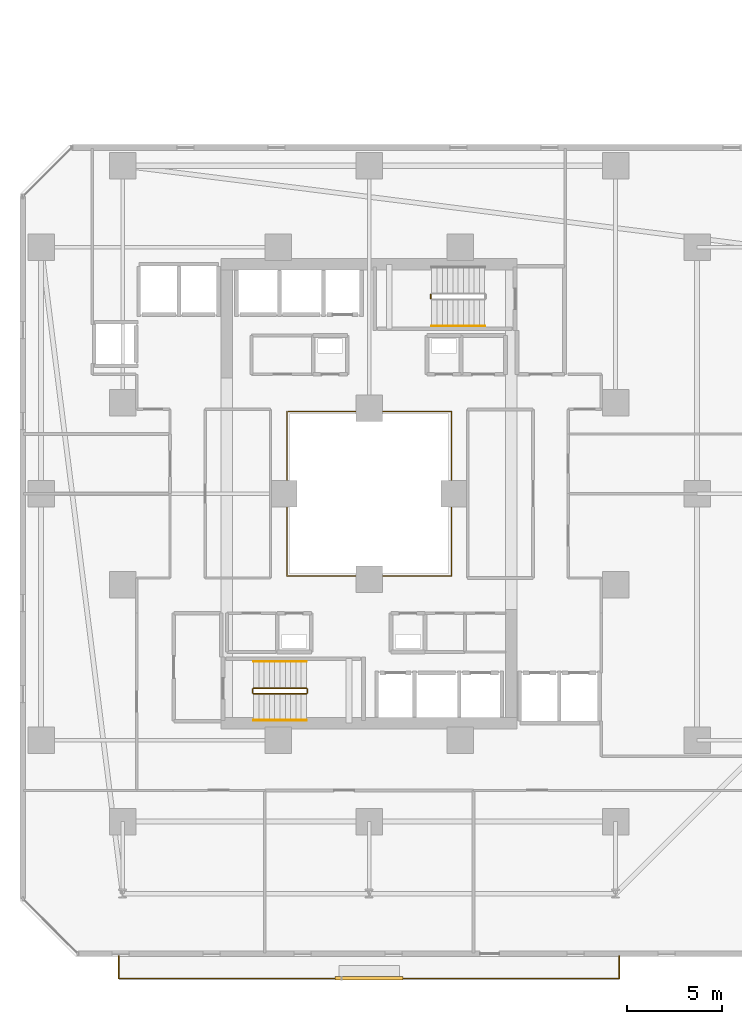
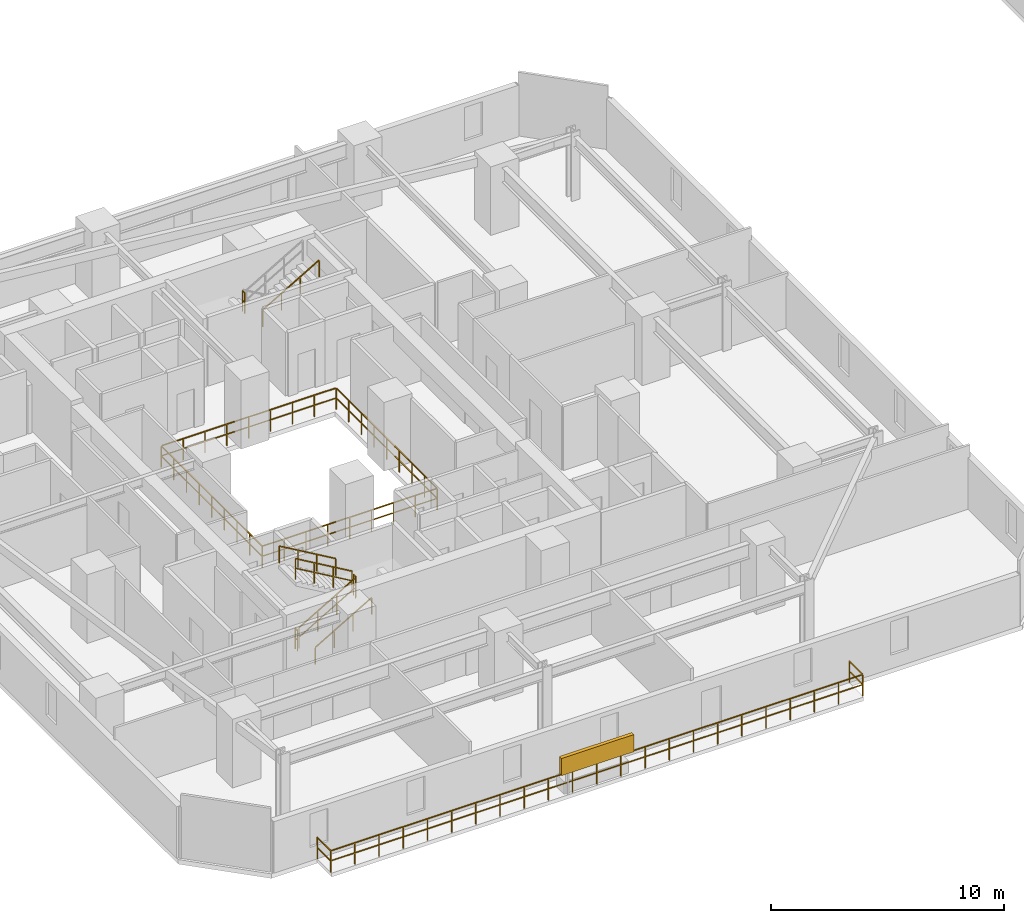
# One storey, part 32 of 35: 10 railings, 1 shading device.
"""IFC4 building model written with IfcOpenShell, lengths in metres."""

from ifc_helpers import new_model, si_unit, direction, frame, origin, origin_2d, place, context, subcontext, project, spatial, rectangle, extrude, material, type_object, element, save


model = new_model("IFC4")

# Units and contexts
model_context = context("Model", 3, precision=1e-05, world=origin(), true_north=direction((0.0, 1.0)))
body_context = subcontext(model_context, "Body", "Model", "MODEL_VIEW")
ifc_project = project(units=[si_unit("LENGTHUNIT", "METRE"), si_unit("AREAUNIT", "SQUARE_METRE"), si_unit("VOLUMEUNIT", "CUBIC_METRE"), si_unit("PLANEANGLEUNIT", "RADIAN"), si_unit("MASSUNIT", "GRAM", prefix="KILO")], contexts=[model_context])

# Site, building, storey
site_placement = place(None, origin())
site = spatial("IfcSite", under=ifc_project, at=site_placement, CompositionType="ELEMENT")
building_placement = place(site_placement, origin())
building = spatial("IfcBuilding", under=site, at=building_placement, Name="Thornwick Lancets Civic Towers", CompositionType="ELEMENT")
storey_placement = place(building_placement, frame((0.0, 0.0, 64.5)))
storey = spatial("IfcBuildingStorey", under=building, at=storey_placement, Name="L16", CompositionType="ELEMENT", Elevation=64.5)

# Railings
ifc_material_1 = material(Name="Laminated glass and bronze steel S355", Category="steel")
railing_type_1 = type_object("IfcRailingType", Name="RAIL_ATRIUM_GUARD", PredefinedType="BALUSTRADE", material=ifc_material_1)
railing_1_placement = place(storey_placement, frame((21.159912109375, 22.659912109375, 0.0)))
element("IfcRailing", 1, at=railing_1_placement, inside=storey, type_object=railing_type_1, Name="L16 Tower A Central Atrium Guard Balustrade", PredefinedType="BALUSTRADE", context=body_context, shape_type="SweptSolid", body=[
    extrude(rectangle(XDim=0.048095703125, YDim=0.048095703125, at=origin_2d()), frame((0.0, 0.0, 1.1259765625), z_axis=(1.0, 0.0, 0.0), x_axis=(0.0, 1.0, 0.0)), (0.0, 0.0, 1.0), 8.64892578125),
    extrude(rectangle(XDim=0.0419921875, YDim=0.0419921875, at=origin_2d()), frame((0.03759765625, 0.0, 0.597900390625), z_axis=(1.0, 0.0, 0.0), x_axis=(0.0, 1.0, 0.0)), (0.0, 0.0, 1.0), 1.010009765625),
    extrude(rectangle(XDim=0.0419921875, YDim=0.0419921875, at=origin_2d()), frame((1.12255859375, 0.0, 0.597900390625), z_axis=(1.0, 0.0, 0.0), x_axis=(0.0, 1.0, 0.0)), (0.0, 0.0, 1.0), 1.010009765625),
    extrude(rectangle(XDim=0.0419921875, YDim=0.0419921875, at=origin_2d()), frame((2.20751953125, 0.0, 0.597900390625), z_axis=(1.0, 0.0, 0.0), x_axis=(0.0, 1.0, 0.0)), (0.0, 0.0, 1.0), 1.010009765625),
    extrude(rectangle(XDim=0.0419921875, YDim=0.0419921875, at=origin_2d()), frame((3.29248046875, 0.0, 0.597900390625), z_axis=(1.0, 0.0, 0.0), x_axis=(0.0, 1.0, 0.0)), (0.0, 0.0, 1.0), 1.010009765625),
    extrude(rectangle(XDim=0.0419921875, YDim=0.0419921875, at=origin_2d()), frame((4.377685546875, 0.0, 0.597900390625), z_axis=(1.0, 0.0, 0.0), x_axis=(0.0, 1.0, 0.0)), (0.0, 0.0, 1.0), 1.010009765625),
    extrude(rectangle(XDim=0.0419921875, YDim=0.0419921875, at=origin_2d()), frame((5.462646484375, 0.0, 0.597900390625), z_axis=(1.0, 0.0, 0.0), x_axis=(0.0, 1.0, 0.0)), (0.0, 0.0, 1.0), 1.010009765625),
    extrude(rectangle(XDim=0.0419921875, YDim=0.0419921875, at=origin_2d()), frame((6.547607421875, 0.0, 0.597900390625), z_axis=(1.0, 0.0, 0.0), x_axis=(0.0, 1.0, 0.0)), (0.0, 0.0, 1.0), 1.010009765625),
    extrude(rectangle(XDim=0.0419921875, YDim=0.0419921875, at=origin_2d()), frame((7.632568359375, 0.0, 0.597900390625), z_axis=(1.0, 0.0, 0.0), x_axis=(0.0, 1.0, 0.0)), (0.0, 0.0, 1.0), 1.010009765625),
    extrude(rectangle(XDim=0.048095703125, YDim=0.048095703125, at=origin_2d()), frame((8.68017578125, 0.03125, 1.1259765625), z_axis=(0.0, 1.0, 0.0), x_axis=(-1.0, 0.0, 0.0)), (0.0, 0.0, 1.0), 8.61767578125),
    extrude(rectangle(XDim=0.0419921875, YDim=0.0419921875, at=origin_2d()), frame((8.68017578125, 0.03759765625, 0.597900390625), z_axis=(0.0, 1.0, 0.0), x_axis=(-1.0, 0.0, 0.0)), (0.0, 0.0, 1.0), 1.010009765625),
    extrude(rectangle(XDim=0.0419921875, YDim=0.0419921875, at=origin_2d()), frame((8.68017578125, 1.12255859375, 0.597900390625), z_axis=(0.0, 1.0, 0.0), x_axis=(-1.0, 0.0, 0.0)), (0.0, 0.0, 1.0), 1.010009765625),
    extrude(rectangle(XDim=0.0419921875, YDim=0.0419921875, at=origin_2d()), frame((8.68017578125, 2.20751953125, 0.597900390625), z_axis=(0.0, 1.0, 0.0), x_axis=(-1.0, 0.0, 0.0)), (0.0, 0.0, 1.0), 1.010009765625),
    extrude(rectangle(XDim=0.0419921875, YDim=0.0419921875, at=origin_2d()), frame((8.68017578125, 3.29248046875, 0.597900390625), z_axis=(0.0, 1.0, 0.0), x_axis=(-1.0, 0.0, 0.0)), (0.0, 0.0, 1.0), 1.010009765625),
    extrude(rectangle(XDim=0.0419921875, YDim=0.0419921875, at=origin_2d()), frame((8.68017578125, 4.377685546875, 0.597900390625), z_axis=(0.0, 1.0, 0.0), x_axis=(-1.0, 0.0, 0.0)), (0.0, 0.0, 1.0), 1.010009765625),
    extrude(rectangle(XDim=0.0419921875, YDim=0.0419921875, at=origin_2d()), frame((8.68017578125, 5.462646484375, 0.597900390625), z_axis=(0.0, 1.0, 0.0), x_axis=(-1.0, 0.0, 0.0)), (0.0, 0.0, 1.0), 1.010009765625),
    extrude(rectangle(XDim=0.0419921875, YDim=0.0419921875, at=origin_2d()), frame((8.68017578125, 6.547607421875, 0.597900390625), z_axis=(0.0, 1.0, 0.0), x_axis=(-1.0, 0.0, 0.0)), (0.0, 0.0, 1.0), 1.010009765625),
    extrude(rectangle(XDim=0.0419921875, YDim=0.0419921875, at=origin_2d()), frame((8.68017578125, 7.632568359375, 0.597900390625), z_axis=(0.0, 1.0, 0.0), x_axis=(-1.0, 0.0, 0.0)), (0.0, 0.0, 1.0), 1.010009765625),
    extrude(rectangle(XDim=0.048095703125, YDim=0.048095703125, at=origin_2d()), frame((8.64892578125, 8.68017578125, 1.1259765625), z_axis=(-1.0, 0.0, 0.0), x_axis=(0.0, -1.0, 0.0)), (0.0, 0.0, 1.0), 8.61767578125),
    extrude(rectangle(XDim=0.0419921875, YDim=0.0419921875, at=origin_2d()), frame((8.642578125, 8.68017578125, 0.597900390625), z_axis=(-1.0, 0.0, 0.0), x_axis=(0.0, -1.0, 0.0)), (0.0, 0.0, 1.0), 1.010009765625),
    extrude(rectangle(XDim=0.0419921875, YDim=0.0419921875, at=origin_2d()), frame((7.5576171875, 8.68017578125, 0.597900390625), z_axis=(-1.0, 0.0, 0.0), x_axis=(0.0, -1.0, 0.0)), (0.0, 0.0, 1.0), 1.010009765625),
    extrude(rectangle(XDim=0.0419921875, YDim=0.0419921875, at=origin_2d()), frame((6.47265625, 8.68017578125, 0.597900390625), z_axis=(-1.0, 0.0, 0.0), x_axis=(0.0, -1.0, 0.0)), (0.0, 0.0, 1.0), 1.010009765625),
    extrude(rectangle(XDim=0.0419921875, YDim=0.0419921875, at=origin_2d()), frame((5.3876953125, 8.68017578125, 0.597900390625), z_axis=(-1.0, 0.0, 0.0), x_axis=(0.0, -1.0, 0.0)), (0.0, 0.0, 1.0), 1.010009765625),
    extrude(rectangle(XDim=0.0419921875, YDim=0.0419921875, at=origin_2d()), frame((4.302490234375, 8.68017578125, 0.597900390625), z_axis=(-1.0, 0.0, 0.0), x_axis=(0.0, -1.0, 0.0)), (0.0, 0.0, 1.0), 1.010009765625),
    extrude(rectangle(XDim=0.0419921875, YDim=0.0419921875, at=origin_2d()), frame((3.217529296875, 8.68017578125, 0.597900390625), z_axis=(-1.0, 0.0, 0.0), x_axis=(0.0, -1.0, 0.0)), (0.0, 0.0, 1.0), 1.010009765625),
    extrude(rectangle(XDim=0.0419921875, YDim=0.0419921875, at=origin_2d()), frame((2.132568359375, 8.68017578125, 0.597900390625), z_axis=(-1.0, 0.0, 0.0), x_axis=(0.0, -1.0, 0.0)), (0.0, 0.0, 1.0), 1.010009765625),
    extrude(rectangle(XDim=0.0419921875, YDim=0.0419921875, at=origin_2d()), frame((1.047607421875, 8.68017578125, 0.597900390625), z_axis=(-1.0, 0.0, 0.0), x_axis=(0.0, -1.0, 0.0)), (0.0, 0.0, 1.0), 1.010009765625),
    extrude(rectangle(XDim=0.048095703125, YDim=0.048095703125, at=origin_2d()), frame((0.0, 8.64892578125, 1.1259765625), z_axis=(0.0, -1.0, 0.0), x_axis=(1.0, 0.0, 0.0)), (0.0, 0.0, 1.0), 8.64892578125),
    extrude(rectangle(XDim=0.0419921875, YDim=0.0419921875, at=origin_2d()), frame((0.0, 8.642578125, 0.597900390625), z_axis=(0.0, -1.0, 0.0), x_axis=(1.0, 0.0, 0.0)), (0.0, 0.0, 1.0), 1.010009765625),
    extrude(rectangle(XDim=0.0419921875, YDim=0.0419921875, at=origin_2d()), frame((0.0, 7.5576171875, 0.597900390625), z_axis=(0.0, -1.0, 0.0), x_axis=(1.0, 0.0, 0.0)), (0.0, 0.0, 1.0), 1.010009765625),
    extrude(rectangle(XDim=0.0419921875, YDim=0.0419921875, at=origin_2d()), frame((0.0, 6.47265625, 0.597900390625), z_axis=(0.0, -1.0, 0.0), x_axis=(1.0, 0.0, 0.0)), (0.0, 0.0, 1.0), 1.010009765625),
    extrude(rectangle(XDim=0.0419921875, YDim=0.0419921875, at=origin_2d()), frame((0.0, 5.3876953125, 0.597900390625), z_axis=(0.0, -1.0, 0.0), x_axis=(1.0, 0.0, 0.0)), (0.0, 0.0, 1.0), 1.010009765625),
    extrude(rectangle(XDim=0.0419921875, YDim=0.0419921875, at=origin_2d()), frame((0.0, 4.302490234375, 0.597900390625), z_axis=(0.0, -1.0, 0.0), x_axis=(1.0, 0.0, 0.0)), (0.0, 0.0, 1.0), 1.010009765625),
    extrude(rectangle(XDim=0.0419921875, YDim=0.0419921875, at=origin_2d()), frame((0.0, 3.217529296875, 0.597900390625), z_axis=(0.0, -1.0, 0.0), x_axis=(1.0, 0.0, 0.0)), (0.0, 0.0, 1.0), 1.010009765625),
    extrude(rectangle(XDim=0.0419921875, YDim=0.0419921875, at=origin_2d()), frame((0.0, 2.132568359375, 0.597900390625), z_axis=(0.0, -1.0, 0.0), x_axis=(1.0, 0.0, 0.0)), (0.0, 0.0, 1.0), 1.010009765625),
    extrude(rectangle(XDim=0.0419921875, YDim=0.0419921875, at=origin_2d()), frame((0.0, 1.047607421875, 0.597900390625), z_axis=(0.0, -1.0, 0.0), x_axis=(1.0, 0.0, 0.0)), (0.0, 0.0, 1.0), 1.010009765625),
    extrude(rectangle(XDim=0.0419921875, YDim=0.0419921875, at=origin_2d()), origin(), (0.0, 0.0, 1.0), 1.095703125),
    extrude(rectangle(XDim=0.0419921875, YDim=0.0419921875, at=origin_2d()), frame((1.0849609375, 0.0, 0.0)), (0.0, 0.0, 1.0), 1.095703125),
    extrude(rectangle(XDim=0.0419921875, YDim=0.0419921875, at=origin_2d()), frame((2.169921875, 0.0, 0.0)), (0.0, 0.0, 1.0), 1.095703125),
    extrude(rectangle(XDim=0.0419921875, YDim=0.0419921875, at=origin_2d()), frame((3.255126953125, 0.0, 0.0)), (0.0, 0.0, 1.0), 1.095703125),
    extrude(rectangle(XDim=0.0419921875, YDim=0.0419921875, at=origin_2d()), frame((4.340087890625, 0.0, 0.0)), (0.0, 0.0, 1.0), 1.095703125),
    extrude(rectangle(XDim=0.0419921875, YDim=0.0419921875, at=origin_2d()), frame((5.425048828125, 0.0, 0.0)), (0.0, 0.0, 1.0), 1.095703125),
    extrude(rectangle(XDim=0.0419921875, YDim=0.0419921875, at=origin_2d()), frame((6.51025390625, 0.0, 0.0)), (0.0, 0.0, 1.0), 1.095703125),
    extrude(rectangle(XDim=0.0419921875, YDim=0.0419921875, at=origin_2d()), frame((7.59521484375, 0.0, 0.0)), (0.0, 0.0, 1.0), 1.095703125),
    extrude(rectangle(XDim=0.0419921875, YDim=0.0419921875, at=origin_2d()), frame((8.68017578125, 0.0, 0.0)), (0.0, 0.0, 1.0), 1.095703125),
    extrude(rectangle(XDim=0.0419921875, YDim=0.0419921875, at=origin_2d()), frame((8.68017578125, 1.0849609375, 0.0)), (0.0, 0.0, 1.0), 1.095703125),
    extrude(rectangle(XDim=0.0419921875, YDim=0.0419921875, at=origin_2d()), frame((8.68017578125, 2.169921875, 0.0)), (0.0, 0.0, 1.0), 1.095703125),
    extrude(rectangle(XDim=0.0419921875, YDim=0.0419921875, at=origin_2d()), frame((8.68017578125, 3.255126953125, 0.0)), (0.0, 0.0, 1.0), 1.095703125),
    extrude(rectangle(XDim=0.0419921875, YDim=0.0419921875, at=origin_2d()), frame((8.68017578125, 4.340087890625, 0.0)), (0.0, 0.0, 1.0), 1.095703125),
    extrude(rectangle(XDim=0.0419921875, YDim=0.0419921875, at=origin_2d()), frame((8.68017578125, 5.425048828125, 0.0)), (0.0, 0.0, 1.0), 1.095703125),
    extrude(rectangle(XDim=0.0419921875, YDim=0.0419921875, at=origin_2d()), frame((8.68017578125, 6.51025390625, 0.0)), (0.0, 0.0, 1.0), 1.095703125),
    extrude(rectangle(XDim=0.0419921875, YDim=0.0419921875, at=origin_2d()), frame((8.68017578125, 7.59521484375, 0.0)), (0.0, 0.0, 1.0), 1.095703125),
    extrude(rectangle(XDim=0.0419921875, YDim=0.0419921875, at=origin_2d()), frame((8.68017578125, 8.68017578125, 0.0)), (0.0, 0.0, 1.0), 1.095703125),
    extrude(rectangle(XDim=0.0419921875, YDim=0.0419921875, at=origin_2d()), frame((7.59521484375, 8.68017578125, 0.0)), (0.0, 0.0, 1.0), 1.095703125),
    extrude(rectangle(XDim=0.0419921875, YDim=0.0419921875, at=origin_2d()), frame((6.51025390625, 8.68017578125, 0.0)), (0.0, 0.0, 1.0), 1.095703125),
    extrude(rectangle(XDim=0.0419921875, YDim=0.0419921875, at=origin_2d()), frame((5.425048828125, 8.68017578125, 0.0)), (0.0, 0.0, 1.0), 1.095703125),
    extrude(rectangle(XDim=0.0419921875, YDim=0.0419921875, at=origin_2d()), frame((4.340087890625, 8.68017578125, 0.0)), (0.0, 0.0, 1.0), 1.095703125),
    extrude(rectangle(XDim=0.0419921875, YDim=0.0419921875, at=origin_2d()), frame((3.255126953125, 8.68017578125, 0.0)), (0.0, 0.0, 1.0), 1.095703125),
    extrude(rectangle(XDim=0.0419921875, YDim=0.0419921875, at=origin_2d()), frame((2.169921875, 8.68017578125, 0.0)), (0.0, 0.0, 1.0), 1.095703125),
    extrude(rectangle(XDim=0.0419921875, YDim=0.0419921875, at=origin_2d()), frame((1.0849609375, 8.68017578125, 0.0)), (0.0, 0.0, 1.0), 1.095703125),
    extrude(rectangle(XDim=0.0419921875, YDim=0.0419921875, at=origin_2d()), frame((0.0, 8.68017578125, 0.0)), (0.0, 0.0, 1.0), 1.095703125),
    extrude(rectangle(XDim=0.0419921875, YDim=0.0419921875, at=origin_2d()), frame((0.0, 7.59521484375, 0.0)), (0.0, 0.0, 1.0), 1.095703125),
    extrude(rectangle(XDim=0.0419921875, YDim=0.0419921875, at=origin_2d()), frame((0.0, 6.51025390625, 0.0)), (0.0, 0.0, 1.0), 1.095703125),
    extrude(rectangle(XDim=0.0419921875, YDim=0.0419921875, at=origin_2d()), frame((0.0, 5.425048828125, 0.0)), (0.0, 0.0, 1.0), 1.095703125),
    extrude(rectangle(XDim=0.0419921875, YDim=0.0419921875, at=origin_2d()), frame((0.0, 4.340087890625, 0.0)), (0.0, 0.0, 1.0), 1.095703125),
    extrude(rectangle(XDim=0.0419921875, YDim=0.0419921875, at=origin_2d()), frame((0.0, 3.255126953125, 0.0)), (0.0, 0.0, 1.0), 1.095703125),
    extrude(rectangle(XDim=0.0419921875, YDim=0.0419921875, at=origin_2d()), frame((0.0, 2.169921875, 0.0)), (0.0, 0.0, 1.0), 1.095703125),
    extrude(rectangle(XDim=0.0419921875, YDim=0.0419921875, at=origin_2d()), frame((0.0, 1.0849609375, 0.0)), (0.0, 0.0, 1.0), 1.095703125),
])
ifc_material_2 = material(Name="Brushed stainless steel S355", Category="steel")
railing_type_2 = type_object("IfcRailingType", Name="RAIL_HANDRAIL", PredefinedType="HANDRAIL", material=ifc_material_2)
railing_2_placement = place(storey_placement, frame((19.39990234375, 15.050048828125, 0.16357421875)))
element("IfcRailing", 2, at=railing_2_placement, inside=storey, type_object=railing_type_2, Name="L16 ST-A1 stair handrail 1", PredefinedType="HANDRAIL", context=body_context, shape_type="SweptSolid", body=[
    extrude(rectangle(XDim=0.048095703125, YDim=0.048095703125, at=origin_2d()), frame((0.0, 0.0, 0.8857421875), z_axis=(0.863360870873, 0.0, 0.504586966384), x_axis=(0.0, 1.0, 0.0)), (0.0, 0.0, 1.0), 3.2431640625),
    extrude(rectangle(XDim=0.0419921875, YDim=0.0419921875, at=origin_2d()), origin(), (0.0, 0.0, 1.0), 0.855712890625),
    extrude(rectangle(XDim=0.0419921875, YDim=0.0419921875, at=origin_2d()), frame((0.933349609375, 0.0, 0.54541015625)), (0.0, 0.0, 1.0), 0.855712890625),
    extrude(rectangle(XDim=0.0419921875, YDim=0.0419921875, at=origin_2d()), frame((1.86669921875, 0.0, 1.091064453125)), (0.0, 0.0, 1.0), 0.855712890625),
    extrude(rectangle(XDim=0.0419921875, YDim=0.0419921875, at=origin_2d()), frame((2.800048828125, 0.0, 1.636474609375)), (0.0, 0.0, 1.0), 0.855712890625),
])
railing_3_placement = place(storey_placement, frame((22.199951171875, 18.14990234375, 1.963623046875)))
element("IfcRailing", 3, at=railing_3_placement, inside=storey, type_object=railing_type_2, Name="L16 ST-A1 stair handrail 2", PredefinedType="HANDRAIL", context=body_context, shape_type="SweptSolid", body=[
    extrude(rectangle(XDim=0.048095703125, YDim=0.048095703125, at=origin_2d()), frame((0.0, 0.0, 0.8857421875), z_axis=(-0.863360870873, 0.0, 0.504586966384), x_axis=(0.0, -1.0, 0.0)), (0.0, 0.0, 1.0), 3.2431640625),
    extrude(rectangle(XDim=0.0419921875, YDim=0.0419921875, at=origin_2d()), origin(), (0.0, 0.0, 1.0), 0.855712890625),
    extrude(rectangle(XDim=0.0419921875, YDim=0.0419921875, at=origin_2d()), frame((-0.933349609375, 0.0, 0.54541015625)), (0.0, 0.0, 1.0), 0.855712890625),
    extrude(rectangle(XDim=0.0419921875, YDim=0.0419921875, at=origin_2d()), frame((-1.86669921875, 0.0, 1.091064453125)), (0.0, 0.0, 1.0), 0.855712890625),
    extrude(rectangle(XDim=0.0419921875, YDim=0.0419921875, at=origin_2d()), frame((-2.800048828125, 0.0, 1.636474609375)), (0.0, 0.0, 1.0), 0.855712890625),
])
railing_4_placement = place(storey_placement, frame((28.800048828125, 35.85009765625, 1.963623046875)))
element("IfcRailing", 4, at=railing_4_placement, inside=storey, type_object=railing_type_2, Name="L16 ST-A2 stair handrail 2", PredefinedType="HANDRAIL", context=body_context, shape_type="SweptSolid", body=[
    extrude(rectangle(XDim=0.048095703125, YDim=0.048095703125, at=origin_2d()), frame((0.0, 0.0, 0.8857421875), z_axis=(0.863360870873, 0.0, 0.504586966384), x_axis=(0.0, 1.0, 0.0)), (0.0, 0.0, 1.0), 3.2431640625),
    extrude(rectangle(XDim=0.0419921875, YDim=0.0419921875, at=origin_2d()), origin(), (0.0, 0.0, 1.0), 0.855712890625),
    extrude(rectangle(XDim=0.0419921875, YDim=0.0419921875, at=origin_2d()), frame((0.933349609375, 0.0, 0.54541015625)), (0.0, 0.0, 1.0), 0.855712890625),
    extrude(rectangle(XDim=0.0419921875, YDim=0.0419921875, at=origin_2d()), frame((1.86669921875, 0.0, 1.091064453125)), (0.0, 0.0, 1.0), 0.855712890625),
    extrude(rectangle(XDim=0.0419921875, YDim=0.0419921875, at=origin_2d()), frame((2.800048828125, 0.0, 1.636474609375)), (0.0, 0.0, 1.0), 0.855712890625),
])
ifc_material_3 = material(Name="Steel S355JR", Category="steel")
railing_type_3 = type_object("IfcRailingType", Name="RAIL_STAIR_GUARD", PredefinedType="GUARDRAIL", material=ifc_material_3)
railing_5_placement = place(storey_placement, frame((19.39990234375, 16.449951171875, 0.16357421875)))
element("IfcRailing", 5, at=railing_5_placement, inside=storey, type_object=railing_type_3, Name="L16 ST-A1 stair guard 1", PredefinedType="GUARDRAIL", context=body_context, shape_type="SweptSolid", body=[
    extrude(rectangle(XDim=0.048095703125, YDim=0.048095703125, at=origin_2d()), frame((0.0, 0.0, 1.076171875), z_axis=(0.863360870873, 0.0, 0.504586966384), x_axis=(0.0, 1.0, 0.0)), (0.0, 0.0, 1.0), 3.2431640625),
    extrude(rectangle(XDim=0.0419921875, YDim=0.0419921875, at=origin_2d()), frame((0.032470703125, 0.0, 0.591064453125), z_axis=(0.863360870873, 0.0, 0.504586966384), x_axis=(0.0, 1.0, 0.0)), (0.0, 0.0, 1.0), 1.006103515625),
    extrude(rectangle(XDim=0.0419921875, YDim=0.0419921875, at=origin_2d()), frame((0.9658203125, 0.0, 1.136474609375), z_axis=(0.863360870873, 0.0, 0.504586966384), x_axis=(0.0, 1.0, 0.0)), (0.0, 0.0, 1.0), 1.006103515625),
    extrude(rectangle(XDim=0.0419921875, YDim=0.0419921875, at=origin_2d()), frame((1.899169921875, 0.0, 1.681884765625), z_axis=(0.863360870873, 0.0, 0.504586966384), x_axis=(0.0, 1.0, 0.0)), (0.0, 0.0, 1.0), 1.006103515625),
    extrude(rectangle(XDim=0.0419921875, YDim=0.0419921875, at=origin_2d()), origin(), (0.0, 0.0, 1.0), 1.0458984375),
    extrude(rectangle(XDim=0.0419921875, YDim=0.0419921875, at=origin_2d()), frame((0.933349609375, 0.0, 0.54541015625)), (0.0, 0.0, 1.0), 1.0458984375),
    extrude(rectangle(XDim=0.0419921875, YDim=0.0419921875, at=origin_2d()), frame((1.86669921875, 0.0, 1.091064453125)), (0.0, 0.0, 1.0), 1.0458984375),
    extrude(rectangle(XDim=0.0419921875, YDim=0.0419921875, at=origin_2d()), frame((2.800048828125, 0.0, 1.636474609375)), (0.0, 0.0, 1.0), 1.0458984375),
])
railing_6_placement = place(storey_placement, frame((22.25, 16.5, 1.800048828125)))
element("IfcRailing", 6, at=railing_6_placement, inside=storey, type_object=railing_type_3, Name="L16 ST-A1 stair guard 2", PredefinedType="GUARDRAIL", context=body_context, shape_type="SweptSolid", body=[
    extrude(rectangle(XDim=0.048095703125, YDim=0.048095703125, at=origin_2d()), frame((0.0, 0.0, 1.076171875), z_axis=(0.0, 1.0, 0.0), x_axis=(-1.0, 0.0, 0.0)), (0.0, 0.0, 1.0), 0.199951171875),
    extrude(rectangle(XDim=0.0419921875, YDim=0.0419921875, at=origin_2d()), frame((0.0, 0.03759765625, 0.572021484375), z_axis=(0.0, 1.0, 0.0), x_axis=(-1.0, 0.0, 0.0)), (0.0, 0.0, 1.0), 0.125),
    extrude(rectangle(XDim=0.0419921875, YDim=0.0419921875, at=origin_2d()), origin(), (0.0, 0.0, 1.0), 1.0458984375),
    extrude(rectangle(XDim=0.0419921875, YDim=0.0419921875, at=origin_2d()), frame((0.0, 0.199951171875, 0.0)), (0.0, 0.0, 1.0), 1.0458984375),
])
railing_7_placement = place(storey_placement, frame((22.199951171875, 16.75, 1.963623046875)))
element("IfcRailing", 7, at=railing_7_placement, inside=storey, type_object=railing_type_3, Name="L16 ST-A1 stair guard 3", PredefinedType="GUARDRAIL", context=body_context, shape_type="SweptSolid", body=[
    extrude(rectangle(XDim=0.048095703125, YDim=0.048095703125, at=origin_2d()), frame((0.0, 0.0, 1.076171875), z_axis=(-0.863360870873, 0.0, 0.504586966384), x_axis=(0.0, -1.0, 0.0)), (0.0, 0.0, 1.0), 3.2431640625),
    extrude(rectangle(XDim=0.0419921875, YDim=0.0419921875, at=origin_2d()), frame((-0.032470703125, 0.0, 0.591064453125), z_axis=(-0.863360870873, 0.0, 0.504586966384), x_axis=(0.0, -1.0, 0.0)), (0.0, 0.0, 1.0), 1.006103515625),
    extrude(rectangle(XDim=0.0419921875, YDim=0.0419921875, at=origin_2d()), frame((-0.9658203125, 0.0, 1.136474609375), z_axis=(-0.863360870873, 0.0, 0.504586966384), x_axis=(0.0, -1.0, 0.0)), (0.0, 0.0, 1.0), 1.006103515625),
    extrude(rectangle(XDim=0.0419921875, YDim=0.0419921875, at=origin_2d()), frame((-1.899169921875, 0.0, 1.681884765625), z_axis=(-0.863360870873, 0.0, 0.504586966384), x_axis=(0.0, -1.0, 0.0)), (0.0, 0.0, 1.0), 1.006103515625),
    extrude(rectangle(XDim=0.0419921875, YDim=0.0419921875, at=origin_2d()), origin(), (0.0, 0.0, 1.0), 1.0458984375),
    extrude(rectangle(XDim=0.0419921875, YDim=0.0419921875, at=origin_2d()), frame((-0.933349609375, 0.0, 0.54541015625)), (0.0, 0.0, 1.0), 1.0458984375),
    extrude(rectangle(XDim=0.0419921875, YDim=0.0419921875, at=origin_2d()), frame((-1.86669921875, 0.0, 1.091064453125)), (0.0, 0.0, 1.0), 1.0458984375),
    extrude(rectangle(XDim=0.0419921875, YDim=0.0419921875, at=origin_2d()), frame((-2.800048828125, 0.0, 1.636474609375)), (0.0, 0.0, 1.0), 1.0458984375),
])
railing_8_placement = place(storey_placement, frame((19.35009765625, 16.5, 0.0)))
element("IfcRailing", 8, at=railing_8_placement, inside=storey, type_object=railing_type_3, Name="L16 ST-A1 stair guard 4", PredefinedType="GUARDRAIL", context=body_context, shape_type="SweptSolid", body=[
    extrude(rectangle(XDim=0.048095703125, YDim=0.048095703125, at=origin_2d()), frame((0.0, 0.0, 1.076171875), z_axis=(0.0, 1.0, 0.0), x_axis=(-1.0, 0.0, 0.0)), (0.0, 0.0, 1.0), 0.199951171875),
    extrude(rectangle(XDim=0.0419921875, YDim=0.0419921875, at=origin_2d()), frame((0.0, 0.03759765625, 0.572021484375), z_axis=(0.0, 1.0, 0.0), x_axis=(-1.0, 0.0, 0.0)), (0.0, 0.0, 1.0), 0.125),
    extrude(rectangle(XDim=0.0419921875, YDim=0.0419921875, at=origin_2d()), origin(), (0.0, 0.0, 1.0), 1.0458984375),
    extrude(rectangle(XDim=0.0419921875, YDim=0.0419921875, at=origin_2d()), frame((0.0, 0.199951171875, 0.0)), (0.0, 0.0, 1.0), 1.0458984375),
])
railing_9_placement = place(storey_placement, frame((28.75, 37.5, 1.800048828125)))
element("IfcRailing", 9, at=railing_9_placement, inside=storey, type_object=railing_type_3, Name="L16 ST-A2 stair guard 2", PredefinedType="GUARDRAIL", context=body_context, shape_type="SweptSolid", body=[
    extrude(rectangle(XDim=0.048095703125, YDim=0.048095703125, at=origin_2d()), frame((0.0, 0.0, 1.076171875), z_axis=(0.0, -1.0, 0.0), x_axis=(1.0, 0.0, 0.0)), (0.0, 0.0, 1.0), 0.199951171875),
    extrude(rectangle(XDim=0.0419921875, YDim=0.0419921875, at=origin_2d()), frame((0.0, -0.03759765625, 0.572021484375), z_axis=(0.0, -1.0, 0.0), x_axis=(1.0, 0.0, 0.0)), (0.0, 0.0, 1.0), 0.125),
    extrude(rectangle(XDim=0.0419921875, YDim=0.0419921875, at=origin_2d()), origin(), (0.0, 0.0, 1.0), 1.0458984375),
    extrude(rectangle(XDim=0.0419921875, YDim=0.0419921875, at=origin_2d()), frame((0.0, -0.199951171875, 0.0)), (0.0, 0.0, 1.0), 1.0458984375),
])
ifc_material_4 = material(Name="Terracotta-capped laminated glass balustrade S355", Category="masonry")
railing_type_4 = type_object("IfcRailingType", Name="RAIL_TERR_GUARD", PredefinedType="GUARDRAIL", material=ifc_material_4)
railing_10_placement = place(storey_placement, frame((12.300048828125, 2.60009765625, 0.0)))
element("IfcRailing", 10, at=railing_10_placement, inside=storey, type_object=railing_type_4, Name="L16 Tower A Balcony Guard S", PredefinedType="GUARDRAIL", context=body_context, shape_type="SweptSolid", body=[
    extrude(rectangle(XDim=0.048095703125, YDim=0.048095703125, at=origin_2d()), frame((0.0, 0.0, 1.1259765625), z_axis=(0.0, -1.0, 0.0), x_axis=(1.0, 0.0, 0.0)), (0.0, 0.0, 1.0), 1.138916015625),
    extrude(rectangle(XDim=0.0419921875, YDim=0.0419921875, at=origin_2d()), frame((0.0, -0.03759765625, 0.597900390625), z_axis=(0.0, -1.0, 0.0), x_axis=(1.0, 0.0, 0.0)), (0.0, 0.0, 1.0), 1.09521484375),
    extrude(rectangle(XDim=0.048095703125, YDim=0.048095703125, at=origin_2d()), frame((0.03125, -1.170166015625, 1.1259765625), z_axis=(1.0, 0.0, 0.0), x_axis=(0.0, 1.0, 0.0)), (0.0, 0.0, 1.0), 26.33740234375),
    extrude(rectangle(XDim=0.0419921875, YDim=0.0419921875, at=origin_2d()), frame((0.03759765625, -1.170166015625, 0.597900390625), z_axis=(1.0, 0.0, 0.0), x_axis=(0.0, 1.0, 0.0)), (0.0, 0.0, 1.0), 1.125),
    extrude(rectangle(XDim=0.0419921875, YDim=0.0419921875, at=origin_2d()), frame((1.237548828125, -1.170166015625, 0.597900390625), z_axis=(1.0, 0.0, 0.0), x_axis=(0.0, 1.0, 0.0)), (0.0, 0.0, 1.0), 1.125),
    extrude(rectangle(XDim=0.0419921875, YDim=0.0419921875, at=origin_2d()), frame((2.4375, -1.170166015625, 0.597900390625), z_axis=(1.0, 0.0, 0.0), x_axis=(0.0, 1.0, 0.0)), (0.0, 0.0, 1.0), 1.125),
    extrude(rectangle(XDim=0.0419921875, YDim=0.0419921875, at=origin_2d()), frame((3.637451171875, -1.170166015625, 0.597900390625), z_axis=(1.0, 0.0, 0.0), x_axis=(0.0, 1.0, 0.0)), (0.0, 0.0, 1.0), 1.125),
    extrude(rectangle(XDim=0.0419921875, YDim=0.0419921875, at=origin_2d()), frame((4.83740234375, -1.170166015625, 0.597900390625), z_axis=(1.0, 0.0, 0.0), x_axis=(0.0, 1.0, 0.0)), (0.0, 0.0, 1.0), 1.125),
    extrude(rectangle(XDim=0.0419921875, YDim=0.0419921875, at=origin_2d()), frame((6.037353515625, -1.170166015625, 0.597900390625), z_axis=(1.0, 0.0, 0.0), x_axis=(0.0, 1.0, 0.0)), (0.0, 0.0, 1.0), 1.125),
    extrude(rectangle(XDim=0.0419921875, YDim=0.0419921875, at=origin_2d()), frame((7.237548828125, -1.170166015625, 0.597900390625), z_axis=(1.0, 0.0, 0.0), x_axis=(0.0, 1.0, 0.0)), (0.0, 0.0, 1.0), 1.125),
    extrude(rectangle(XDim=0.0419921875, YDim=0.0419921875, at=origin_2d()), frame((8.4375, -1.170166015625, 0.597900390625), z_axis=(1.0, 0.0, 0.0), x_axis=(0.0, 1.0, 0.0)), (0.0, 0.0, 1.0), 1.125),
    extrude(rectangle(XDim=0.0419921875, YDim=0.0419921875, at=origin_2d()), frame((9.637451171875, -1.170166015625, 0.597900390625), z_axis=(1.0, 0.0, 0.0), x_axis=(0.0, 1.0, 0.0)), (0.0, 0.0, 1.0), 1.125),
    extrude(rectangle(XDim=0.0419921875, YDim=0.0419921875, at=origin_2d()), frame((10.83740234375, -1.170166015625, 0.597900390625), z_axis=(1.0, 0.0, 0.0), x_axis=(0.0, 1.0, 0.0)), (0.0, 0.0, 1.0), 1.125),
    extrude(rectangle(XDim=0.0419921875, YDim=0.0419921875, at=origin_2d()), frame((12.037353515625, -1.170166015625, 0.597900390625), z_axis=(1.0, 0.0, 0.0), x_axis=(0.0, 1.0, 0.0)), (0.0, 0.0, 1.0), 1.125),
    extrude(rectangle(XDim=0.0419921875, YDim=0.0419921875, at=origin_2d()), frame((13.237548828125, -1.170166015625, 0.597900390625), z_axis=(1.0, 0.0, 0.0), x_axis=(0.0, 1.0, 0.0)), (0.0, 0.0, 1.0), 1.125),
    extrude(rectangle(XDim=0.0419921875, YDim=0.0419921875, at=origin_2d()), frame((14.4375, -1.170166015625, 0.597900390625), z_axis=(1.0, 0.0, 0.0), x_axis=(0.0, 1.0, 0.0)), (0.0, 0.0, 1.0), 1.125),
    extrude(rectangle(XDim=0.0419921875, YDim=0.0419921875, at=origin_2d()), frame((15.637451171875, -1.170166015625, 0.597900390625), z_axis=(1.0, 0.0, 0.0), x_axis=(0.0, 1.0, 0.0)), (0.0, 0.0, 1.0), 1.125),
    extrude(rectangle(XDim=0.0419921875, YDim=0.0419921875, at=origin_2d()), frame((16.83740234375, -1.170166015625, 0.597900390625), z_axis=(1.0, 0.0, 0.0), x_axis=(0.0, 1.0, 0.0)), (0.0, 0.0, 1.0), 1.125),
    extrude(rectangle(XDim=0.0419921875, YDim=0.0419921875, at=origin_2d()), frame((18.037353515625, -1.170166015625, 0.597900390625), z_axis=(1.0, 0.0, 0.0), x_axis=(0.0, 1.0, 0.0)), (0.0, 0.0, 1.0), 1.125),
    extrude(rectangle(XDim=0.0419921875, YDim=0.0419921875, at=origin_2d()), frame((19.2373046875, -1.170166015625, 0.597900390625), z_axis=(1.0, 0.0, 0.0), x_axis=(0.0, 1.0, 0.0)), (0.0, 0.0, 1.0), 1.125),
    extrude(rectangle(XDim=0.0419921875, YDim=0.0419921875, at=origin_2d()), frame((20.4375, -1.170166015625, 0.597900390625), z_axis=(1.0, 0.0, 0.0), x_axis=(0.0, 1.0, 0.0)), (0.0, 0.0, 1.0), 1.125),
    extrude(rectangle(XDim=0.0419921875, YDim=0.0419921875, at=origin_2d()), frame((21.637451171875, -1.170166015625, 0.597900390625), z_axis=(1.0, 0.0, 0.0), x_axis=(0.0, 1.0, 0.0)), (0.0, 0.0, 1.0), 1.125),
    extrude(rectangle(XDim=0.0419921875, YDim=0.0419921875, at=origin_2d()), frame((22.83740234375, -1.170166015625, 0.597900390625), z_axis=(1.0, 0.0, 0.0), x_axis=(0.0, 1.0, 0.0)), (0.0, 0.0, 1.0), 1.125),
    extrude(rectangle(XDim=0.0419921875, YDim=0.0419921875, at=origin_2d()), frame((24.037353515625, -1.170166015625, 0.597900390625), z_axis=(1.0, 0.0, 0.0), x_axis=(0.0, 1.0, 0.0)), (0.0, 0.0, 1.0), 1.125),
    extrude(rectangle(XDim=0.0419921875, YDim=0.0419921875, at=origin_2d()), frame((25.2373046875, -1.170166015625, 0.597900390625), z_axis=(1.0, 0.0, 0.0), x_axis=(0.0, 1.0, 0.0)), (0.0, 0.0, 1.0), 1.125),
    extrude(rectangle(XDim=0.048095703125, YDim=0.048095703125, at=origin_2d()), frame((26.39990234375, -1.138916015625, 1.1259765625), z_axis=(0.0, 1.0, 0.0), x_axis=(-1.0, 0.0, 0.0)), (0.0, 0.0, 1.0), 1.138916015625),
    extrude(rectangle(XDim=0.0419921875, YDim=0.0419921875, at=origin_2d()), frame((26.39990234375, -1.132568359375, 0.597900390625), z_axis=(0.0, 1.0, 0.0), x_axis=(-1.0, 0.0, 0.0)), (0.0, 0.0, 1.0), 1.09521484375),
    extrude(rectangle(XDim=0.0419921875, YDim=0.0419921875, at=origin_2d()), origin(), (0.0, 0.0, 1.0), 1.095703125),
    extrude(rectangle(XDim=0.0419921875, YDim=0.0419921875, at=origin_2d()), frame((0.0, -1.170166015625, 0.0)), (0.0, 0.0, 1.0), 1.095703125),
    extrude(rectangle(XDim=0.0419921875, YDim=0.0419921875, at=origin_2d()), frame((1.199951171875, -1.170166015625, 0.0)), (0.0, 0.0, 1.0), 1.095703125),
    extrude(rectangle(XDim=0.0419921875, YDim=0.0419921875, at=origin_2d()), frame((2.39990234375, -1.170166015625, 0.0)), (0.0, 0.0, 1.0), 1.095703125),
    extrude(rectangle(XDim=0.0419921875, YDim=0.0419921875, at=origin_2d()), frame((3.60009765625, -1.170166015625, 0.0)), (0.0, 0.0, 1.0), 1.095703125),
    extrude(rectangle(XDim=0.0419921875, YDim=0.0419921875, at=origin_2d()), frame((4.800048828125, -1.170166015625, 0.0)), (0.0, 0.0, 1.0), 1.095703125),
    extrude(rectangle(XDim=0.0419921875, YDim=0.0419921875, at=origin_2d()), frame((6.0, -1.170166015625, 0.0)), (0.0, 0.0, 1.0), 1.095703125),
    extrude(rectangle(XDim=0.0419921875, YDim=0.0419921875, at=origin_2d()), frame((7.199951171875, -1.170166015625, 0.0)), (0.0, 0.0, 1.0), 1.095703125),
    extrude(rectangle(XDim=0.0419921875, YDim=0.0419921875, at=origin_2d()), frame((8.39990234375, -1.170166015625, 0.0)), (0.0, 0.0, 1.0), 1.095703125),
    extrude(rectangle(XDim=0.0419921875, YDim=0.0419921875, at=origin_2d()), frame((9.599853515625, -1.170166015625, 0.0)), (0.0, 0.0, 1.0), 1.095703125),
    extrude(rectangle(XDim=0.0419921875, YDim=0.0419921875, at=origin_2d()), frame((10.800048828125, -1.170166015625, 0.0)), (0.0, 0.0, 1.0), 1.095703125),
    extrude(rectangle(XDim=0.0419921875, YDim=0.0419921875, at=origin_2d()), frame((12.0, -1.170166015625, 0.0)), (0.0, 0.0, 1.0), 1.095703125),
    extrude(rectangle(XDim=0.0419921875, YDim=0.0419921875, at=origin_2d()), frame((13.199951171875, -1.170166015625, 0.0)), (0.0, 0.0, 1.0), 1.095703125),
    extrude(rectangle(XDim=0.0419921875, YDim=0.0419921875, at=origin_2d()), frame((14.39990234375, -1.170166015625, 0.0)), (0.0, 0.0, 1.0), 1.095703125),
    extrude(rectangle(XDim=0.0419921875, YDim=0.0419921875, at=origin_2d()), frame((15.599853515625, -1.170166015625, 0.0)), (0.0, 0.0, 1.0), 1.095703125),
    extrude(rectangle(XDim=0.0419921875, YDim=0.0419921875, at=origin_2d()), frame((16.800048828125, -1.170166015625, 0.0)), (0.0, 0.0, 1.0), 1.095703125),
    extrude(rectangle(XDim=0.0419921875, YDim=0.0419921875, at=origin_2d()), frame((18.0, -1.170166015625, 0.0)), (0.0, 0.0, 1.0), 1.095703125),
    extrude(rectangle(XDim=0.0419921875, YDim=0.0419921875, at=origin_2d()), frame((19.199951171875, -1.170166015625, 0.0)), (0.0, 0.0, 1.0), 1.095703125),
    extrude(rectangle(XDim=0.0419921875, YDim=0.0419921875, at=origin_2d()), frame((20.39990234375, -1.170166015625, 0.0)), (0.0, 0.0, 1.0), 1.095703125),
    extrude(rectangle(XDim=0.0419921875, YDim=0.0419921875, at=origin_2d()), frame((21.599853515625, -1.170166015625, 0.0)), (0.0, 0.0, 1.0), 1.095703125),
    extrude(rectangle(XDim=0.0419921875, YDim=0.0419921875, at=origin_2d()), frame((22.7998046875, -1.170166015625, 0.0)), (0.0, 0.0, 1.0), 1.095703125),
    extrude(rectangle(XDim=0.0419921875, YDim=0.0419921875, at=origin_2d()), frame((24.0, -1.170166015625, 0.0)), (0.0, 0.0, 1.0), 1.095703125),
    extrude(rectangle(XDim=0.0419921875, YDim=0.0419921875, at=origin_2d()), frame((25.199951171875, -1.170166015625, 0.0)), (0.0, 0.0, 1.0), 1.095703125),
    extrude(rectangle(XDim=0.0419921875, YDim=0.0419921875, at=origin_2d()), frame((26.39990234375, -1.170166015625, 0.0)), (0.0, 0.0, 1.0), 1.095703125),
    extrude(rectangle(XDim=0.0419921875, YDim=0.0419921875, at=origin_2d()), frame((26.39990234375, 0.0, 0.0)), (0.0, 0.0, 1.0), 1.095703125),
])

# Shading device
ifc_material_5 = material(Name="Extruded terracotta baguette solar screen", Category="masonry")
shading_device_type = type_object("IfcShadingDeviceType", Name="SHADE_BAGUETTE", PredefinedType="JALOUSIE", material=ifc_material_5)
shading_device_placement = place(storey_placement, frame((25.5, 1.43994140625, 1.1201171875), z_axis=(0.0, 0.0, 1.0), x_axis=(1.0, 0.0, 0.0)))
element("IfcShadingDevice", 11, at=shading_device_placement, inside=storey, type_object=shading_device_type, Name="L16 Tower A Terracotta Baguette Screen S", PredefinedType="JALOUSIE", context=body_context, shape_type="SweptSolid", body=[
    extrude(rectangle(XDim=3.60009765625, YDim=0.179931640625, at=origin_2d()), origin(), (0.0, 0.0, 1.0), 0.89990234375),
])

save(model, "model.ifc")
